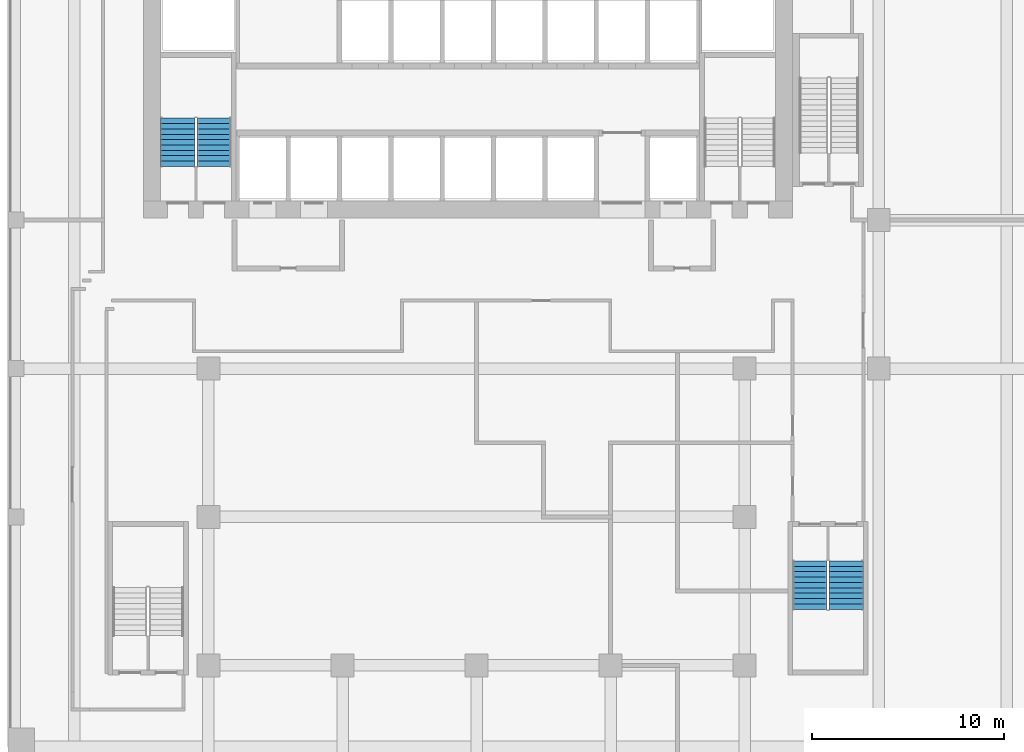
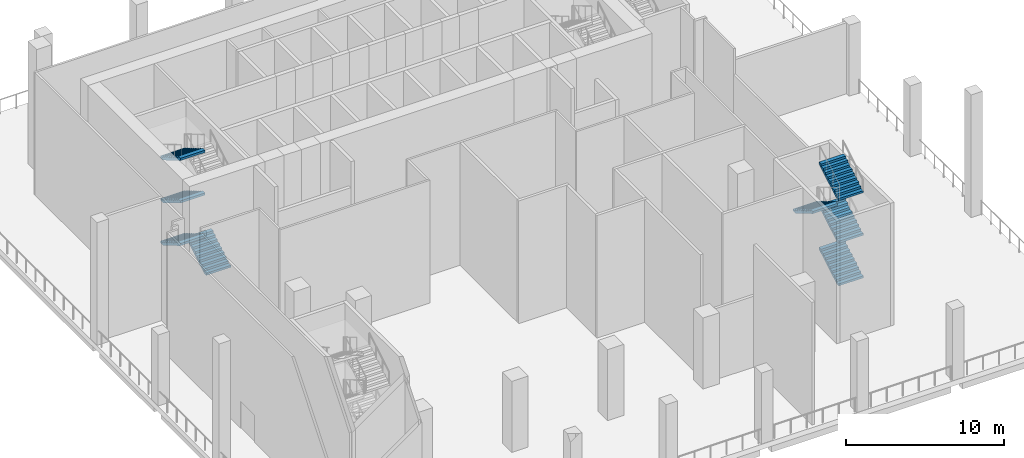
# One storey, part 7 of 12: 8 stair flights, 2 elements without a shape of their own.
"""IFC4 building model written with IfcOpenShell, lengths in metres."""

from ifc_helpers import new_model, si_unit, direction, frame, origin, place, context, subcontext, project, spatial, triangles, source, transform, mapped, material, type_object, element, aggregate, save


model = new_model("IFC4")

# Units and contexts
model_context = context("Model", 3, precision=1e-05, world=origin(), true_north=direction((0.0, 1.0)))
body_context = subcontext(model_context, "Body", "Model", "MODEL_VIEW")
ifc_project = project(units=[si_unit("LENGTHUNIT", "METRE"), si_unit("AREAUNIT", "SQUARE_METRE"), si_unit("VOLUMEUNIT", "CUBIC_METRE"), si_unit("PLANEANGLEUNIT", "RADIAN"), si_unit("MASSUNIT", "GRAM", prefix="KILO")], contexts=[model_context])

# Site, building, storey
site_placement = place(None, origin())
site = spatial("IfcSite", under=ifc_project, at=site_placement, CompositionType="ELEMENT")
building_placement = place(site_placement, origin())
building = spatial("IfcBuilding", under=site, at=building_placement, Name="Kilnfold Tower and Market Hall", CompositionType="ELEMENT")
storey_placement = place(building_placement, frame((0.0, 0.0, 128.60009765625)))
storey = spatial("IfcBuildingStorey", under=building, at=storey_placement, Name="L30 Refuge Wind Floor", CompositionType="ELEMENT", Elevation=128.60009765625)

# Stair, stair flights
ifc_material_1 = material(Name="Concrete C40/50", Category="concrete")
stair_type = type_object("IfcStairType", Name="CORE STAIR 1800", PredefinedType="HALF_TURN_STAIR", material=ifc_material_1)
stair_1_placement = place(storey_placement, origin())
stair_1 = element("IfcStair", 1, at=stair_1_placement, inside=storey, type_object=stair_type, Name="L30 Refuge Wind Floor ST1", PredefinedType="HALF_TURN_STAIR")
ifc_material_2 = material(Name="Concrete C40/50", Category="concrete")
stair_flight_type = type_object("IfcStairFlightType", Name="CORE STAIR FLIGHT 1800", PredefinedType="STRAIGHT", material=ifc_material_2)
shared_shape = source(origin(), body_context, "Body", "Tessellation", [
    triangles([(0.0, 0.89990234375, 0.0), (0.0, 0.78759765625, 0.0), (0.0, 0.675048828125, 0.0), (0.0, 0.5625, 0.0), (0.0, 0.449951171875, 0.0), (0.0, 0.33740234375, 0.0), (0.0, 0.22509765625, 0.0), (0.0, 0.112548828125, 0.0), (0.0, 0.0, 0.0), (0.0, -0.112548828125, 0.0), (0.0, -0.22509765625, 0.0), (0.0, -0.33740234375, 0.0), (0.0, -0.449951171875, 0.0), (0.0, -0.5625, 0.0), (0.0, -0.675048828125, 0.0), (0.0, -0.78759765625, 0.0), (0.0, -0.89990234375, 0.0), (0.0, 0.89990234375, 0.1650390625), (0.0, 0.78759765625, 0.1650390625), (0.0, 0.675048828125, 0.1650390625), (0.0, 0.5625, 0.1650390625), (0.0, 0.449951171875, 0.1650390625), (0.0, 0.33740234375, 0.1650390625), (0.0, 0.22509765625, 0.1650390625), (0.0, 0.112548828125, 0.1650390625), (0.0, 0.0, 0.1650390625), (0.0, -0.112548828125, 0.1650390625), (0.0, -0.22509765625, 0.1650390625), (0.0, -0.33740234375, 0.1650390625), (0.0, -0.449951171875, 0.1650390625), (0.0, -0.5625, 0.1650390625), (0.0, -0.675048828125, 0.1650390625), (0.0, -0.78759765625, 0.1650390625), (0.0, -0.89990234375, 0.1650390625), (0.280029296875, 0.89990234375, 0.1650390625), (0.280029296875, 0.78759765625, 0.1650390625), (0.280029296875, 0.675048828125, 0.1650390625), (0.280029296875, 0.5625, 0.1650390625), (0.280029296875, 0.449951171875, 0.1650390625), (0.280029296875, 0.33740234375, 0.1650390625), (0.280029296875, 0.22509765625, 0.1650390625), (0.280029296875, 0.112548828125, 0.1650390625), (0.280029296875, 0.0, 0.1650390625), (0.280029296875, -0.112548828125, 0.1650390625), (0.280029296875, -0.22509765625, 0.1650390625), (0.280029296875, -0.33740234375, 0.1650390625), (0.280029296875, -0.449951171875, 0.1650390625), (0.280029296875, -0.5625, 0.1650390625), (0.280029296875, -0.675048828125, 0.1650390625), (0.280029296875, -0.78759765625, 0.1650390625), (0.280029296875, -0.89990234375, 0.1650390625), (0.280029296875, 0.89990234375, 0.330078125), (0.280029296875, 0.78759765625, 0.330078125), (0.280029296875, 0.675048828125, 0.330078125), (0.280029296875, 0.5625, 0.330078125), (0.280029296875, 0.449951171875, 0.330078125), (0.280029296875, 0.33740234375, 0.330078125), (0.280029296875, 0.22509765625, 0.330078125), (0.280029296875, 0.112548828125, 0.330078125), (0.280029296875, 0.0, 0.330078125), (0.280029296875, -0.112548828125, 0.330078125), (0.280029296875, -0.22509765625, 0.330078125), (0.280029296875, -0.33740234375, 0.330078125), (0.280029296875, -0.449951171875, 0.330078125), (0.280029296875, -0.5625, 0.330078125), (0.280029296875, -0.675048828125, 0.330078125), (0.280029296875, -0.78759765625, 0.330078125), (0.280029296875, -0.89990234375, 0.330078125), (0.56005859375, 0.89990234375, 0.330078125), (0.56005859375, 0.78759765625, 0.330078125), (0.56005859375, 0.675048828125, 0.330078125), (0.56005859375, 0.5625, 0.330078125), (0.56005859375, 0.449951171875, 0.330078125), (0.56005859375, 0.33740234375, 0.330078125), (0.56005859375, 0.22509765625, 0.330078125), (0.56005859375, 0.112548828125, 0.330078125), (0.56005859375, 0.0, 0.330078125), (0.56005859375, -0.112548828125, 0.330078125), (0.56005859375, -0.22509765625, 0.330078125), (0.56005859375, -0.33740234375, 0.330078125), (0.56005859375, -0.449951171875, 0.330078125), (0.56005859375, -0.5625, 0.330078125), (0.56005859375, -0.675048828125, 0.330078125), (0.56005859375, -0.78759765625, 0.330078125), (0.56005859375, -0.89990234375, 0.330078125), (0.56005859375, 0.89990234375, 0.4951171875), (0.56005859375, 0.78759765625, 0.4951171875), (0.56005859375, 0.675048828125, 0.4951171875), (0.56005859375, 0.5625, 0.4951171875), (0.56005859375, 0.449951171875, 0.4951171875), (0.56005859375, 0.33740234375, 0.4951171875), (0.56005859375, 0.22509765625, 0.4951171875), (0.56005859375, 0.112548828125, 0.4951171875), (0.56005859375, 0.0, 0.4951171875), (0.56005859375, -0.112548828125, 0.4951171875), (0.56005859375, -0.22509765625, 0.4951171875), (0.56005859375, -0.33740234375, 0.4951171875), (0.56005859375, -0.449951171875, 0.4951171875), (0.56005859375, -0.5625, 0.4951171875), (0.56005859375, -0.675048828125, 0.4951171875), (0.56005859375, -0.78759765625, 0.4951171875), (0.56005859375, -0.89990234375, 0.4951171875), (0.840087890625, 0.89990234375, 0.4951171875), (0.840087890625, 0.78759765625, 0.4951171875), (0.840087890625, 0.675048828125, 0.4951171875), (0.840087890625, 0.5625, 0.4951171875), (0.840087890625, 0.449951171875, 0.4951171875), (0.840087890625, 0.33740234375, 0.4951171875), (0.840087890625, 0.22509765625, 0.4951171875), (0.840087890625, 0.112548828125, 0.4951171875), (0.840087890625, 0.0, 0.4951171875), (0.840087890625, -0.112548828125, 0.4951171875), (0.840087890625, -0.22509765625, 0.4951171875), (0.840087890625, -0.33740234375, 0.4951171875), (0.840087890625, -0.449951171875, 0.4951171875), (0.840087890625, -0.5625, 0.4951171875), (0.840087890625, -0.675048828125, 0.4951171875), (0.840087890625, -0.78759765625, 0.4951171875), (0.840087890625, -0.89990234375, 0.4951171875), (0.840087890625, 0.89990234375, 0.659912109375), (0.840087890625, 0.78759765625, 0.659912109375), (0.840087890625, 0.675048828125, 0.659912109375), (0.840087890625, 0.5625, 0.659912109375), (0.840087890625, 0.449951171875, 0.659912109375), (0.840087890625, 0.33740234375, 0.659912109375), (0.840087890625, 0.22509765625, 0.659912109375), (0.840087890625, 0.112548828125, 0.659912109375), (0.840087890625, 0.0, 0.659912109375), (0.840087890625, -0.112548828125, 0.659912109375), (0.840087890625, -0.22509765625, 0.659912109375), (0.840087890625, -0.33740234375, 0.659912109375), (0.840087890625, -0.449951171875, 0.659912109375), (0.840087890625, -0.5625, 0.659912109375), (0.840087890625, -0.675048828125, 0.659912109375), (0.840087890625, -0.78759765625, 0.659912109375), (0.840087890625, -0.89990234375, 0.659912109375), (1.1201171875, 0.89990234375, 0.659912109375), (1.1201171875, 0.78759765625, 0.659912109375), (1.1201171875, 0.675048828125, 0.659912109375), (1.1201171875, 0.5625, 0.659912109375), (1.1201171875, 0.449951171875, 0.659912109375), (1.1201171875, 0.33740234375, 0.659912109375), (1.1201171875, 0.22509765625, 0.659912109375), (1.1201171875, 0.112548828125, 0.659912109375), (1.1201171875, 0.0, 0.659912109375), (1.1201171875, -0.112548828125, 0.659912109375), (1.1201171875, -0.22509765625, 0.659912109375), (1.1201171875, -0.33740234375, 0.659912109375), (1.1201171875, -0.449951171875, 0.659912109375), (1.1201171875, -0.5625, 0.659912109375), (1.1201171875, -0.675048828125, 0.659912109375), (1.1201171875, -0.78759765625, 0.659912109375), (1.1201171875, -0.89990234375, 0.659912109375), (1.1201171875, 0.89990234375, 0.824951171875), (1.1201171875, 0.78759765625, 0.824951171875), (1.1201171875, 0.675048828125, 0.824951171875), (1.1201171875, 0.5625, 0.824951171875), (1.1201171875, 0.449951171875, 0.824951171875), (1.1201171875, 0.33740234375, 0.824951171875), (1.1201171875, 0.22509765625, 0.824951171875), (1.1201171875, 0.112548828125, 0.824951171875), (1.1201171875, 0.0, 0.824951171875), (1.1201171875, -0.112548828125, 0.824951171875), (1.1201171875, -0.22509765625, 0.824951171875), (1.1201171875, -0.33740234375, 0.824951171875), (1.1201171875, -0.449951171875, 0.824951171875), (1.1201171875, -0.5625, 0.824951171875), (1.1201171875, -0.675048828125, 0.824951171875), (1.1201171875, -0.78759765625, 0.824951171875), (1.1201171875, -0.89990234375, 0.824951171875), (1.39990234375, 0.89990234375, 0.824951171875), (1.39990234375, 0.78759765625, 0.824951171875), (1.39990234375, 0.675048828125, 0.824951171875), (1.39990234375, 0.5625, 0.824951171875), (1.39990234375, 0.449951171875, 0.824951171875), (1.39990234375, 0.33740234375, 0.824951171875), (1.39990234375, 0.22509765625, 0.824951171875), (1.39990234375, 0.112548828125, 0.824951171875), (1.39990234375, 0.0, 0.824951171875), (1.39990234375, -0.112548828125, 0.824951171875), (1.39990234375, -0.22509765625, 0.824951171875), (1.39990234375, -0.33740234375, 0.824951171875), (1.39990234375, -0.449951171875, 0.824951171875), (1.39990234375, -0.5625, 0.824951171875), (1.39990234375, -0.675048828125, 0.824951171875), (1.39990234375, -0.78759765625, 0.824951171875), (1.39990234375, -0.89990234375, 0.824951171875), (1.39990234375, 0.89990234375, 0.989990234375), (1.39990234375, 0.78759765625, 0.989990234375), (1.39990234375, 0.675048828125, 0.989990234375), (1.39990234375, 0.5625, 0.989990234375), (1.39990234375, 0.449951171875, 0.989990234375), (1.39990234375, 0.33740234375, 0.989990234375), (1.39990234375, 0.22509765625, 0.989990234375), (1.39990234375, 0.112548828125, 0.989990234375), (1.39990234375, 0.0, 0.989990234375), (1.39990234375, -0.112548828125, 0.989990234375), (1.39990234375, -0.22509765625, 0.989990234375), (1.39990234375, -0.33740234375, 0.989990234375), (1.39990234375, -0.449951171875, 0.989990234375), (1.39990234375, -0.5625, 0.989990234375), (1.39990234375, -0.675048828125, 0.989990234375), (1.39990234375, -0.78759765625, 0.989990234375), (1.39990234375, -0.89990234375, 0.989990234375), (1.679931640625, 0.89990234375, 0.989990234375), (1.679931640625, 0.78759765625, 0.989990234375), (1.679931640625, 0.675048828125, 0.989990234375), (1.679931640625, 0.5625, 0.989990234375), (1.679931640625, 0.449951171875, 0.989990234375), (1.679931640625, 0.33740234375, 0.989990234375), (1.679931640625, 0.22509765625, 0.989990234375), (1.679931640625, 0.112548828125, 0.989990234375), (1.679931640625, 0.0, 0.989990234375), (1.679931640625, -0.112548828125, 0.989990234375), (1.679931640625, -0.22509765625, 0.989990234375), (1.679931640625, -0.33740234375, 0.989990234375), (1.679931640625, -0.449951171875, 0.989990234375), (1.679931640625, -0.5625, 0.989990234375), (1.679931640625, -0.675048828125, 0.989990234375), (1.679931640625, -0.78759765625, 0.989990234375), (1.679931640625, -0.89990234375, 0.989990234375), (1.679931640625, 0.89990234375, 1.155029296875), (1.679931640625, 0.78759765625, 1.155029296875), (1.679931640625, 0.675048828125, 1.155029296875), (1.679931640625, 0.5625, 1.155029296875), (1.679931640625, 0.449951171875, 1.155029296875), (1.679931640625, 0.33740234375, 1.155029296875), (1.679931640625, 0.22509765625, 1.155029296875), (1.679931640625, 0.112548828125, 1.155029296875), (1.679931640625, 0.0, 1.155029296875), (1.679931640625, -0.112548828125, 1.155029296875), (1.679931640625, -0.22509765625, 1.155029296875), (1.679931640625, -0.33740234375, 1.155029296875), (1.679931640625, -0.449951171875, 1.155029296875), (1.679931640625, -0.5625, 1.155029296875), (1.679931640625, -0.675048828125, 1.155029296875), (1.679931640625, -0.78759765625, 1.155029296875), (1.679931640625, -0.89990234375, 1.155029296875), (1.9599609375, 0.89990234375, 1.155029296875), (1.9599609375, 0.78759765625, 1.155029296875), (1.9599609375, 0.675048828125, 1.155029296875), (1.9599609375, 0.5625, 1.155029296875), (1.9599609375, 0.449951171875, 1.155029296875), (1.9599609375, 0.33740234375, 1.155029296875), (1.9599609375, 0.22509765625, 1.155029296875), (1.9599609375, 0.112548828125, 1.155029296875), (1.9599609375, 0.0, 1.155029296875), (1.9599609375, -0.112548828125, 1.155029296875), (1.9599609375, -0.22509765625, 1.155029296875), (1.9599609375, -0.33740234375, 1.155029296875), (1.9599609375, -0.449951171875, 1.155029296875), (1.9599609375, -0.5625, 1.155029296875), (1.9599609375, -0.675048828125, 1.155029296875), (1.9599609375, -0.78759765625, 1.155029296875), (1.9599609375, -0.89990234375, 1.155029296875), (1.9599609375, 0.89990234375, 1.320068359375), (1.9599609375, 0.78759765625, 1.320068359375), (1.9599609375, 0.675048828125, 1.320068359375), (1.9599609375, 0.5625, 1.320068359375), (1.9599609375, 0.449951171875, 1.320068359375), (1.9599609375, 0.33740234375, 1.320068359375), (1.9599609375, 0.22509765625, 1.320068359375), (1.9599609375, 0.112548828125, 1.320068359375), (1.9599609375, 0.0, 1.320068359375), (1.9599609375, -0.112548828125, 1.320068359375), (1.9599609375, -0.22509765625, 1.320068359375), (1.9599609375, -0.33740234375, 1.320068359375), (1.9599609375, -0.449951171875, 1.320068359375), (1.9599609375, -0.5625, 1.320068359375), (1.9599609375, -0.675048828125, 1.320068359375), (1.9599609375, -0.78759765625, 1.320068359375), (1.9599609375, -0.89990234375, 1.320068359375), (2.239990234375, 0.89990234375, 1.320068359375), (2.239990234375, 0.78759765625, 1.320068359375), (2.239990234375, 0.675048828125, 1.320068359375), (2.239990234375, 0.5625, 1.320068359375), (2.239990234375, 0.449951171875, 1.320068359375), (2.239990234375, 0.33740234375, 1.320068359375), (2.239990234375, 0.22509765625, 1.320068359375), (2.239990234375, 0.112548828125, 1.320068359375), (2.239990234375, 0.0, 1.320068359375), (2.239990234375, -0.112548828125, 1.320068359375), (2.239990234375, -0.22509765625, 1.320068359375), (2.239990234375, -0.33740234375, 1.320068359375), (2.239990234375, -0.449951171875, 1.320068359375), (2.239990234375, -0.5625, 1.320068359375), (2.239990234375, -0.675048828125, 1.320068359375), (2.239990234375, -0.78759765625, 1.320068359375), (2.239990234375, -0.89990234375, 1.320068359375), (2.239990234375, 0.89990234375, 1.485107421875), (2.239990234375, 0.78759765625, 1.485107421875), (2.239990234375, 0.675048828125, 1.485107421875), (2.239990234375, 0.5625, 1.485107421875), (2.239990234375, 0.449951171875, 1.485107421875), (2.239990234375, 0.33740234375, 1.485107421875), (2.239990234375, 0.22509765625, 1.485107421875), (2.239990234375, 0.112548828125, 1.485107421875), (2.239990234375, 0.0, 1.485107421875), (2.239990234375, -0.112548828125, 1.485107421875), (2.239990234375, -0.22509765625, 1.485107421875), (2.239990234375, -0.33740234375, 1.485107421875), (2.239990234375, -0.449951171875, 1.485107421875), (2.239990234375, -0.5625, 1.485107421875), (2.239990234375, -0.675048828125, 1.485107421875), (2.239990234375, -0.78759765625, 1.485107421875), (2.239990234375, -0.89990234375, 1.485107421875), (2.52001953125, 0.89990234375, 1.485107421875), (2.52001953125, 0.78759765625, 1.485107421875), (2.52001953125, 0.675048828125, 1.485107421875), (2.52001953125, 0.5625, 1.485107421875), (2.52001953125, 0.449951171875, 1.485107421875), (2.52001953125, 0.33740234375, 1.485107421875), (2.52001953125, 0.22509765625, 1.485107421875), (2.52001953125, 0.112548828125, 1.485107421875), (2.52001953125, 0.0, 1.485107421875), (2.52001953125, -0.112548828125, 1.485107421875), (2.52001953125, -0.22509765625, 1.485107421875), (2.52001953125, -0.33740234375, 1.485107421875), (2.52001953125, -0.449951171875, 1.485107421875), (2.52001953125, -0.5625, 1.485107421875), (2.52001953125, -0.675048828125, 1.485107421875), (2.52001953125, -0.78759765625, 1.485107421875), (2.52001953125, -0.89990234375, 1.485107421875), (2.52001953125, 0.89990234375, 1.31103515625), (2.52001953125, 0.78759765625, 1.31103515625), (2.52001953125, 0.675048828125, 1.31103515625), (2.52001953125, 0.5625, 1.31103515625), (2.52001953125, 0.449951171875, 1.31103515625), (2.52001953125, 0.33740234375, 1.31103515625), (2.52001953125, 0.22509765625, 1.31103515625), (2.52001953125, 0.112548828125, 1.31103515625), (2.52001953125, 0.0, 1.31103515625), (2.52001953125, -0.112548828125, 1.31103515625), (2.52001953125, -0.22509765625, 1.31103515625), (2.52001953125, -0.33740234375, 1.31103515625), (2.52001953125, -0.449951171875, 1.31103515625), (2.52001953125, -0.5625, 1.31103515625), (2.52001953125, -0.675048828125, 1.31103515625), (2.52001953125, -0.78759765625, 1.31103515625), (2.52001953125, -0.89990234375, 1.31103515625), (0.295166015625, 0.89990234375, 0.0), (0.295166015625, 0.78759765625, 0.0), (0.295166015625, 0.675048828125, 0.0), (0.295166015625, 0.5625, 0.0), (0.295166015625, 0.449951171875, 0.0), (0.295166015625, 0.33740234375, 0.0), (0.295166015625, 0.22509765625, 0.0), (0.295166015625, 0.112548828125, 0.0), (0.295166015625, 0.0, 0.0), (0.295166015625, -0.112548828125, 0.0), (0.295166015625, -0.22509765625, 0.0), (0.295166015625, -0.33740234375, 0.0), (0.295166015625, -0.449951171875, 0.0), (0.295166015625, -0.5625, 0.0), (0.295166015625, -0.675048828125, 0.0), (0.295166015625, -0.78759765625, 0.0), (0.295166015625, -0.89990234375, 0.0)], [[1, 324, 341], [17, 357, 340], [324, 290, 307], [340, 323, 306], [324, 273, 290], [340, 306, 289], [324, 256, 273], [340, 289, 272], [324, 239, 256], [340, 272, 255], [239, 205, 222], [255, 238, 221], [324, 205, 239], [340, 255, 221], [205, 171, 188], [221, 204, 187], [324, 171, 205], [340, 221, 187], [171, 137, 154], [187, 170, 153], [324, 137, 171], [340, 187, 153], [1, 137, 324], [17, 340, 153], [137, 103, 120], [153, 136, 119], [103, 69, 86], [119, 102, 85], [137, 69, 103], [153, 119, 85], [69, 35, 52], [85, 68, 51], [137, 35, 69], [153, 85, 51], [1, 35, 137], [17, 153, 51], [35, 1, 18], [51, 34, 17], [1, 19, 18], [1, 2, 19], [2, 20, 19], [2, 3, 20], [3, 21, 20], [3, 4, 21], [4, 22, 21], [4, 5, 22], [5, 23, 22], [5, 6, 23], [6, 24, 23], [6, 7, 24], [7, 25, 24], [7, 8, 25], [8, 26, 25], [8, 9, 26], [9, 27, 26], [9, 10, 27], [10, 28, 27], [10, 11, 28], [11, 29, 28], [11, 12, 29], [12, 30, 29], [12, 13, 30], [13, 31, 30], [13, 14, 31], [14, 32, 31], [14, 15, 32], [15, 33, 32], [15, 16, 33], [16, 34, 33], [16, 17, 34], [18, 36, 35], [18, 19, 36], [19, 37, 36], [19, 20, 37], [20, 38, 37], [20, 21, 38], [21, 39, 38], [21, 22, 39], [22, 40, 39], [22, 23, 40], [23, 41, 40], [23, 24, 41], [24, 42, 41], [24, 25, 42], [25, 43, 42], [25, 26, 43], [26, 44, 43], [26, 27, 44], [27, 45, 44], [27, 28, 45], [28, 46, 45], [28, 29, 46], [29, 47, 46], [29, 30, 47], [30, 48, 47], [30, 31, 48], [31, 49, 48], [31, 32, 49], [32, 50, 49], [32, 33, 50], [33, 51, 50], [33, 34, 51], [35, 53, 52], [35, 36, 53], [36, 54, 53], [36, 37, 54], [37, 55, 54], [37, 38, 55], [38, 56, 55], [38, 39, 56], [39, 57, 56], [39, 40, 57], [40, 58, 57], [40, 41, 58], [41, 59, 58], [41, 42, 59], [42, 60, 59], [42, 43, 60], [43, 61, 60], [43, 44, 61], [44, 62, 61], [44, 45, 62], [45, 63, 62], [45, 46, 63], [46, 64, 63], [46, 47, 64], [47, 65, 64], [47, 48, 65], [48, 66, 65], [48, 49, 66], [49, 67, 66], [49, 50, 67], [50, 68, 67], [50, 51, 68], [52, 70, 69], [52, 53, 70], [53, 71, 70], [53, 54, 71], [54, 72, 71], [54, 55, 72], [55, 73, 72], [55, 56, 73], [56, 74, 73], [56, 57, 74], [57, 75, 74], [57, 58, 75], [58, 76, 75], [58, 59, 76], [59, 77, 76], [59, 60, 77], [60, 78, 77], [60, 61, 78], [61, 79, 78], [61, 62, 79], [62, 80, 79], [62, 63, 80], [63, 81, 80], [63, 64, 81], [64, 82, 81], [64, 65, 82], [65, 83, 82], [65, 66, 83], [66, 84, 83], [66, 67, 84], [67, 85, 84], [67, 68, 85], [69, 87, 86], [69, 70, 87], [70, 88, 87], [70, 71, 88], [71, 89, 88], [71, 72, 89], [72, 90, 89], [72, 73, 90], [73, 91, 90], [73, 74, 91], [74, 92, 91], [74, 75, 92], [75, 93, 92], [75, 76, 93], [76, 94, 93], [76, 77, 94], [77, 95, 94], [77, 78, 95], [78, 96, 95], [78, 79, 96], [79, 97, 96], [79, 80, 97], [80, 98, 97], [80, 81, 98], [81, 99, 98], [81, 82, 99], [82, 100, 99], [82, 83, 100], [83, 101, 100], [83, 84, 101], [84, 102, 101], [84, 85, 102], [86, 104, 103], [86, 87, 104], [87, 105, 104], [87, 88, 105], [88, 106, 105], [88, 89, 106], [89, 107, 106], [89, 90, 107], [90, 108, 107], [90, 91, 108], [91, 109, 108], [91, 92, 109], [92, 110, 109], [92, 93, 110], [93, 111, 110], [93, 94, 111], [94, 112, 111], [94, 95, 112], [95, 113, 112], [95, 96, 113], [96, 114, 113], [96, 97, 114], [97, 115, 114], [97, 98, 115], [98, 116, 115], [98, 99, 116], [99, 117, 116], [99, 100, 117], [100, 118, 117], [100, 101, 118], [101, 119, 118], [101, 102, 119], [103, 121, 120], [103, 104, 121], [104, 122, 121], [104, 105, 122], [105, 123, 122], [105, 106, 123], [106, 124, 123], [106, 107, 124], [107, 125, 124], [107, 108, 125], [108, 126, 125], [108, 109, 126], [109, 127, 126], [109, 110, 127], [110, 128, 127], [110, 111, 128], [111, 129, 128], [111, 112, 129], [112, 130, 129], [112, 113, 130], [113, 131, 130], [113, 114, 131], [114, 132, 131], [114, 115, 132], [115, 133, 132], [115, 116, 133], [116, 134, 133], [116, 117, 134], [117, 135, 134], [117, 118, 135], [118, 136, 135], [118, 119, 136], [120, 138, 137], [120, 121, 138], [121, 139, 138], [121, 122, 139], [122, 140, 139], [122, 123, 140], [123, 141, 140], [123, 124, 141], [124, 142, 141], [124, 125, 142], [125, 143, 142], [125, 126, 143], [126, 144, 143], [126, 127, 144], [127, 145, 144], [127, 128, 145], [128, 146, 145], [128, 129, 146], [129, 147, 146], [129, 130, 147], [130, 148, 147], [130, 131, 148], [131, 149, 148], [131, 132, 149], [132, 150, 149], [132, 133, 150], [133, 151, 150], [133, 134, 151], [134, 152, 151], [134, 135, 152], [135, 153, 152], [135, 136, 153], [137, 155, 154], [137, 138, 155], [138, 156, 155], [138, 139, 156], [139, 157, 156], [139, 140, 157], [140, 158, 157], [140, 141, 158], [141, 159, 158], [141, 142, 159], [142, 160, 159], [142, 143, 160], [143, 161, 160], [143, 144, 161], [144, 162, 161], [144, 145, 162], [145, 163, 162], [145, 146, 163], [146, 164, 163], [146, 147, 164], [147, 165, 164], [147, 148, 165], [148, 166, 165], [148, 149, 166], [149, 167, 166], [149, 150, 167], [150, 168, 167], [150, 151, 168], [151, 169, 168], [151, 152, 169], [152, 170, 169], [152, 153, 170], [154, 172, 171], [154, 155, 172], [155, 173, 172], [155, 156, 173], [156, 174, 173], [156, 157, 174], [157, 175, 174], [157, 158, 175], [158, 176, 175], [158, 159, 176], [159, 177, 176], [159, 160, 177], [160, 178, 177], [160, 161, 178], [161, 179, 178], [161, 162, 179], [162, 180, 179], [162, 163, 180], [163, 181, 180], [163, 164, 181], [164, 182, 181], [164, 165, 182], [165, 183, 182], [165, 166, 183], [166, 184, 183], [166, 167, 184], [167, 185, 184], [167, 168, 185], [168, 186, 185], [168, 169, 186], [169, 187, 186], [169, 170, 187], [171, 189, 188], [171, 172, 189], [172, 190, 189], [172, 173, 190], [173, 191, 190], [173, 174, 191], [174, 192, 191], [174, 175, 192], [175, 193, 192], [175, 176, 193], [176, 194, 193], [176, 177, 194], [177, 195, 194], [177, 178, 195], [178, 196, 195], [178, 179, 196], [179, 197, 196], [179, 180, 197], [180, 198, 197], [180, 181, 198], [181, 199, 198], [181, 182, 199], [182, 200, 199], [182, 183, 200], [183, 201, 200], [183, 184, 201], [184, 202, 201], [184, 185, 202], [185, 203, 202], [185, 186, 203], [186, 204, 203], [186, 187, 204], [188, 206, 205], [188, 189, 206], [189, 207, 206], [189, 190, 207], [190, 208, 207], [190, 191, 208], [191, 209, 208], [191, 192, 209], [192, 210, 209], [192, 193, 210], [193, 211, 210], [193, 194, 211], [194, 212, 211], [194, 195, 212], [195, 213, 212], [195, 196, 213], [196, 214, 213], [196, 197, 214], [197, 215, 214], [197, 198, 215], [198, 216, 215], [198, 199, 216], [199, 217, 216], [199, 200, 217], [200, 218, 217], [200, 201, 218], [201, 219, 218], [201, 202, 219], [202, 220, 219], [202, 203, 220], [203, 221, 220], [203, 204, 221], [205, 223, 222], [205, 206, 223], [206, 224, 223], [206, 207, 224], [207, 225, 224], [207, 208, 225], [208, 226, 225], [208, 209, 226], [209, 227, 226], [209, 210, 227], [210, 228, 227], [210, 211, 228], [211, 229, 228], [211, 212, 229], [212, 230, 229], [212, 213, 230], [213, 231, 230], [213, 214, 231], [214, 232, 231], [214, 215, 232], [215, 233, 232], [215, 216, 233], [216, 234, 233], [216, 217, 234], [217, 235, 234], [217, 218, 235], [218, 236, 235], [218, 219, 236], [219, 237, 236], [219, 220, 237], [220, 238, 237], [220, 221, 238], [222, 240, 239], [222, 223, 240], [223, 241, 240], [223, 224, 241], [224, 242, 241], [224, 225, 242], [225, 243, 242], [225, 226, 243], [226, 244, 243], [226, 227, 244], [227, 245, 244], [227, 228, 245], [228, 246, 245], [228, 229, 246], [229, 247, 246], [229, 230, 247], [230, 248, 247], [230, 231, 248], [231, 249, 248], [231, 232, 249], [232, 250, 249], [232, 233, 250], [233, 251, 250], [233, 234, 251], [234, 252, 251], [234, 235, 252], [235, 253, 252], [235, 236, 253], [236, 254, 253], [236, 237, 254], [237, 255, 254], [237, 238, 255], [239, 257, 256], [239, 240, 257], [240, 258, 257], [240, 241, 258], [241, 259, 258], [241, 242, 259], [242, 260, 259], [242, 243, 260], [243, 261, 260], [243, 244, 261], [244, 262, 261], [244, 245, 262], [245, 263, 262], [245, 246, 263], [246, 264, 263], [246, 247, 264], [247, 265, 264], [247, 248, 265], [248, 266, 265], [248, 249, 266], [249, 267, 266], [249, 250, 267], [250, 268, 267], [250, 251, 268], [251, 269, 268], [251, 252, 269], [252, 270, 269], [252, 253, 270], [253, 271, 270], [253, 254, 271], [254, 272, 271], [254, 255, 272], [256, 274, 273], [256, 257, 274], [257, 275, 274], [257, 258, 275], [258, 276, 275], [258, 259, 276], [259, 277, 276], [259, 260, 277], [260, 278, 277], [260, 261, 278], [261, 279, 278], [261, 262, 279], [262, 280, 279], [262, 263, 280], [263, 281, 280], [263, 264, 281], [264, 282, 281], [264, 265, 282], [265, 283, 282], [265, 266, 283], [266, 284, 283], [266, 267, 284], [267, 285, 284], [267, 268, 285], [268, 286, 285], [268, 269, 286], [269, 287, 286], [269, 270, 287], [270, 288, 287], [270, 271, 288], [271, 289, 288], [271, 272, 289], [273, 291, 290], [273, 274, 291], [274, 292, 291], [274, 275, 292], [275, 293, 292], [275, 276, 293], [276, 294, 293], [276, 277, 294], [277, 295, 294], [277, 278, 295], [278, 296, 295], [278, 279, 296], [279, 297, 296], [279, 280, 297], [280, 298, 297], [280, 281, 298], [281, 299, 298], [281, 282, 299], [282, 300, 299], [282, 283, 300], [283, 301, 300], [283, 284, 301], [284, 302, 301], [284, 285, 302], [285, 303, 302], [285, 286, 303], [286, 304, 303], [286, 287, 304], [287, 305, 304], [287, 288, 305], [288, 306, 305], [288, 289, 306], [290, 308, 307], [290, 291, 308], [291, 309, 308], [291, 292, 309], [292, 310, 309], [292, 293, 310], [293, 311, 310], [293, 294, 311], [294, 312, 311], [294, 295, 312], [295, 313, 312], [295, 296, 313], [296, 314, 313], [296, 297, 314], [297, 315, 314], [297, 298, 315], [298, 316, 315], [298, 299, 316], [299, 317, 316], [299, 300, 317], [300, 318, 317], [300, 301, 318], [301, 319, 318], [301, 302, 319], [302, 320, 319], [302, 303, 320], [303, 321, 320], [303, 304, 321], [304, 322, 321], [304, 305, 322], [305, 323, 322], [305, 306, 323], [307, 325, 324], [307, 308, 325], [308, 326, 325], [308, 309, 326], [309, 327, 326], [309, 310, 327], [310, 328, 327], [310, 311, 328], [311, 329, 328], [311, 312, 329], [312, 330, 329], [312, 313, 330], [313, 331, 330], [313, 314, 331], [314, 332, 331], [314, 315, 332], [315, 333, 332], [315, 316, 333], [316, 334, 333], [316, 317, 334], [317, 335, 334], [317, 318, 335], [318, 336, 335], [318, 319, 336], [319, 337, 336], [319, 320, 337], [320, 338, 337], [320, 321, 338], [321, 339, 338], [321, 322, 339], [322, 340, 339], [322, 323, 340], [324, 342, 341], [324, 325, 342], [325, 343, 342], [325, 326, 343], [326, 344, 343], [326, 327, 344], [327, 345, 344], [327, 328, 345], [328, 346, 345], [328, 329, 346], [329, 347, 346], [329, 330, 347], [330, 348, 347], [330, 331, 348], [331, 349, 348], [331, 332, 349], [332, 350, 349], [332, 333, 350], [333, 351, 350], [333, 334, 351], [334, 352, 351], [334, 335, 352], [335, 353, 352], [335, 336, 353], [336, 354, 353], [336, 337, 354], [337, 355, 354], [337, 338, 355], [338, 356, 355], [338, 339, 356], [339, 357, 356], [339, 340, 357], [341, 2, 1], [341, 342, 2], [342, 3, 2], [342, 343, 3], [343, 4, 3], [343, 344, 4], [344, 5, 4], [344, 345, 5], [345, 6, 5], [345, 346, 6], [346, 7, 6], [346, 347, 7], [347, 8, 7], [347, 348, 8], [348, 9, 8], [348, 349, 9], [349, 10, 9], [349, 350, 10], [350, 11, 10], [350, 351, 11], [351, 12, 11], [351, 352, 12], [352, 13, 12], [352, 353, 13], [353, 14, 13], [353, 354, 14], [354, 15, 14], [354, 355, 15], [355, 16, 15], [355, 356, 16], [356, 17, 16], [356, 357, 17]], closed=True),
])
stair_flight_1_placement = place(storey_placement, frame((-12.199951171875, 10.800048828125, 0.0), z_axis=(0.0, 0.0, 1.0), x_axis=(0.0, 1.0, 0.0)))
stair_flight_1 = element("IfcStairFlight", 2, at=stair_flight_1_placement, type_object=stair_flight_type, Name="ST1 flight 1", NumberOfRisers=10, NumberOfTreads=9, PredefinedType="STRAIGHT", RiserHeight=0.165, TreadLength=0.28, context=body_context, shape_type="MappedRepresentation", body=[
    mapped(shared_shape, transform((0.0, 0.0, 0.0))),
])
stair_flight_2_placement = place(storey_placement, frame((-14.10009765625, 13.320068359375, 1.64990234375), z_axis=(0.0, 0.0, 1.0), x_axis=(0.0, -1.0, 0.0)))
stair_flight_2 = element("IfcStairFlight", 3, at=stair_flight_2_placement, type_object=stair_flight_type, Name="ST1 flight 2", NumberOfRisers=10, NumberOfTreads=9, PredefinedType="STRAIGHT", RiserHeight=0.165, TreadLength=0.28, context=body_context, shape_type="MappedRepresentation", body=[
    mapped(shared_shape, transform((0.0, 0.0, 0.0))),
])
stair_flight_3_placement = place(storey_placement, frame((-14.10009765625, 13.320068359375, 4.949951171875), z_axis=(0.0, 0.0, 1.0), x_axis=(0.0, -1.0, 0.0)))
stair_flight_3 = element("IfcStairFlight", 4, at=stair_flight_3_placement, type_object=stair_flight_type, Name="ST1 flight 4", NumberOfRisers=10, NumberOfTreads=9, PredefinedType="STRAIGHT", RiserHeight=0.165, TreadLength=0.28, context=body_context, shape_type="MappedRepresentation", body=[
    mapped(shared_shape, transform((0.0, 0.0, 0.0))),
])
stair_flight_4_placement = place(storey_placement, frame((-14.10009765625, 13.320068359375, 8.25), z_axis=(0.0, 0.0, 1.0), x_axis=(0.0, -1.0, 0.0)))
stair_flight_4 = element("IfcStairFlight", 5, at=stair_flight_4_placement, type_object=stair_flight_type, Name="ST1 flight 6", NumberOfRisers=10, NumberOfTreads=9, PredefinedType="STRAIGHT", RiserHeight=0.165, TreadLength=0.28, context=body_context, shape_type="MappedRepresentation", body=[
    mapped(shared_shape, transform((0.0, 0.0, 0.0))),
])
aggregate(stair_1, [stair_flight_1, stair_flight_2, stair_flight_3, stair_flight_4])

stair_2_placement = place(storey_placement, origin())
stair_2 = element("IfcStair", 6, at=stair_2_placement, inside=storey, type_object=stair_type, Name="L30 Refuge Wind Floor ST4", PredefinedType="HALF_TURN_STAIR")
stair_flight_5_placement = place(storey_placement, frame((20.800048828125, -12.320068359375, 1.64990234375), z_axis=(0.0, 0.0, 1.0), x_axis=(0.0, 1.0, 0.0)))
stair_flight_5 = element("IfcStairFlight", 7, at=stair_flight_5_placement, type_object=stair_flight_type, Name="ST4 flight 2", NumberOfRisers=10, NumberOfTreads=9, PredefinedType="STRAIGHT", RiserHeight=0.165, TreadLength=0.28, context=body_context, shape_type="MappedRepresentation", body=[
    mapped(shared_shape, transform((0.0, 0.0, 0.0))),
])
stair_flight_6_placement = place(storey_placement, frame((20.800048828125, -12.320068359375, 4.949951171875), z_axis=(0.0, 0.0, 1.0), x_axis=(0.0, 1.0, 0.0)))
stair_flight_6 = element("IfcStairFlight", 8, at=stair_flight_6_placement, type_object=stair_flight_type, Name="ST4 flight 4", NumberOfRisers=10, NumberOfTreads=9, PredefinedType="STRAIGHT", RiserHeight=0.165, TreadLength=0.28, context=body_context, shape_type="MappedRepresentation", body=[
    mapped(shared_shape, transform((0.0, 0.0, 0.0))),
])
stair_flight_7_placement = place(storey_placement, frame((18.89990234375, -9.800048828125, 6.599853515625), z_axis=(0.0, 0.0, 1.0), x_axis=(0.0, -1.0, 0.0)))
stair_flight_7 = element("IfcStairFlight", 9, at=stair_flight_7_placement, type_object=stair_flight_type, Name="ST4 flight 5", NumberOfRisers=10, NumberOfTreads=9, PredefinedType="STRAIGHT", RiserHeight=0.165, TreadLength=0.28, context=body_context, shape_type="MappedRepresentation", body=[
    mapped(shared_shape, transform((0.0, 0.0, 0.0))),
])
stair_flight_8_placement = place(storey_placement, frame((20.800048828125, -12.320068359375, 8.25), z_axis=(0.0, 0.0, 1.0), x_axis=(0.0, 1.0, 0.0)))
stair_flight_8 = element("IfcStairFlight", 10, at=stair_flight_8_placement, type_object=stair_flight_type, Name="ST4 flight 6", NumberOfRisers=10, NumberOfTreads=9, PredefinedType="STRAIGHT", RiserHeight=0.165, TreadLength=0.28, context=body_context, shape_type="MappedRepresentation", body=[
    mapped(shared_shape, transform((0.0, 0.0, 0.0))),
])
aggregate(stair_2, [stair_flight_5, stair_flight_6, stair_flight_7, stair_flight_8])

save(model, "model.ifc")
